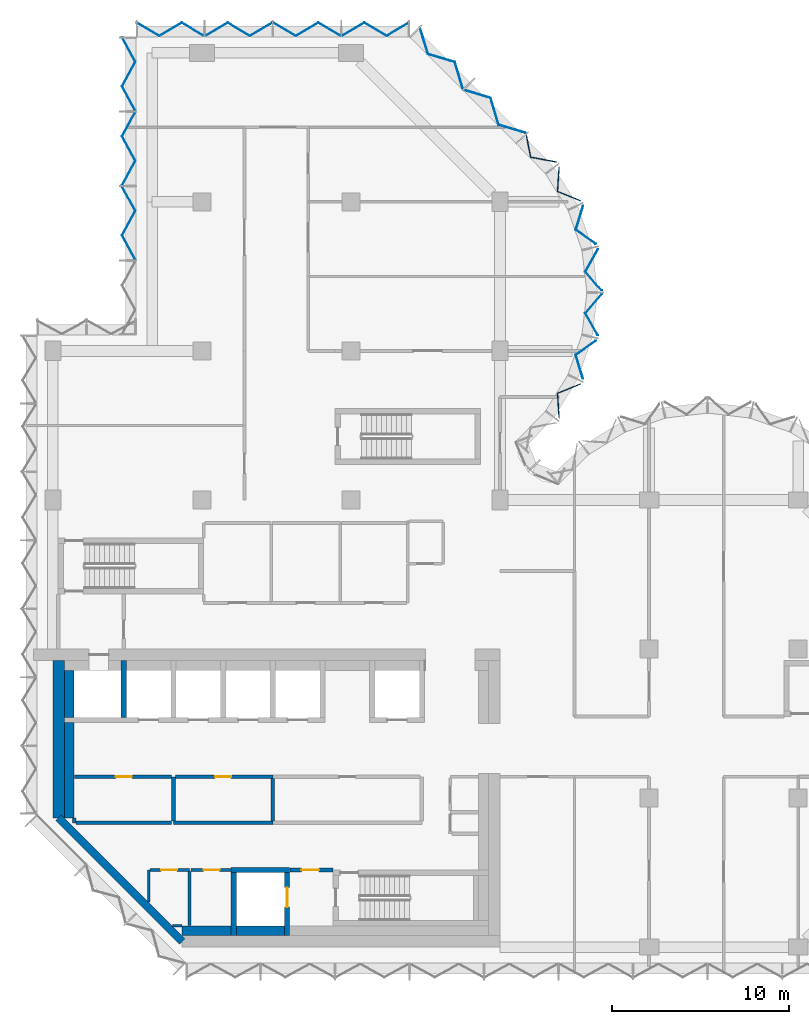
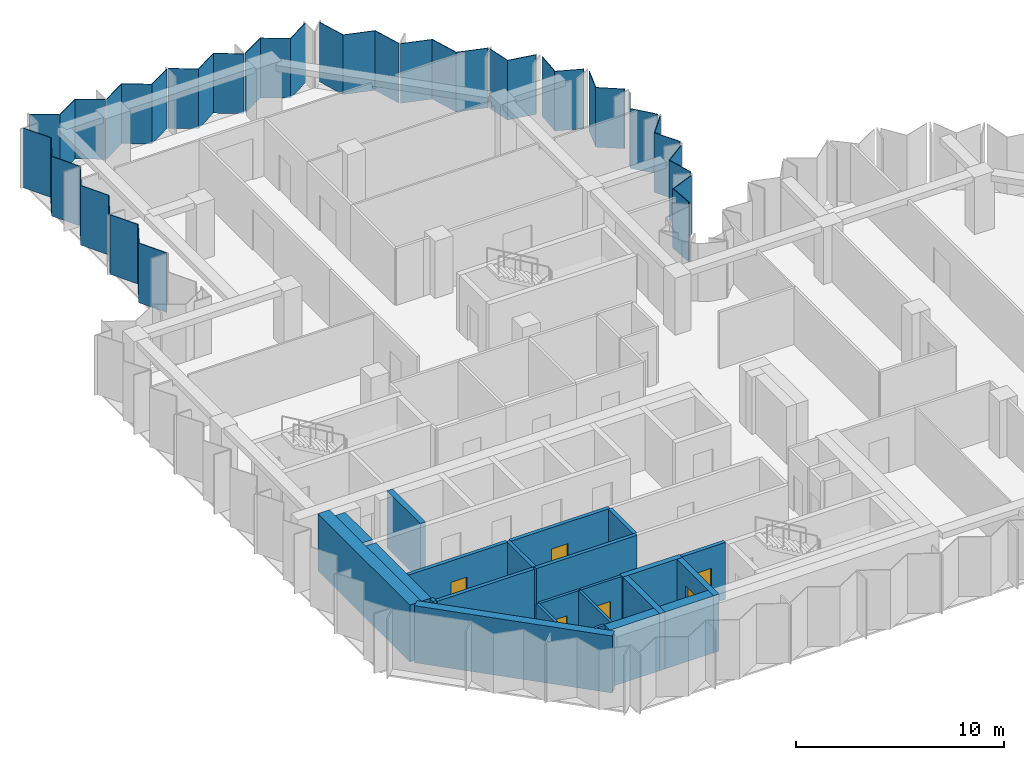
# One storey, part 4 of 10: 23 walls, 16 plates, 6 doors, 6 openings, 4 elements without a shape of their own.
"""IFC4 building model written with IfcOpenShell, lengths in metres."""

from ifc_helpers import new_model, si_unit, direction, frame, frame_2d, origin, place, context, subcontext, project, spatial, polyline, rectangle, outline, extrude, material, layer, layer_set, type_object, element, fill, aggregate, save


model = new_model("IFC4")

# Units and contexts
model_context = context("Model", 3, precision=1e-05, world=origin(), true_north=direction((0.0, 1.0)))
body_context = subcontext(model_context, "Body", "Model", "MODEL_VIEW")
ifc_project = project(units=[si_unit("LENGTHUNIT", "METRE"), si_unit("AREAUNIT", "SQUARE_METRE"), si_unit("VOLUMEUNIT", "CUBIC_METRE"), si_unit("PLANEANGLEUNIT", "RADIAN"), si_unit("MASSUNIT", "GRAM", prefix="KILO")], contexts=[model_context])

# Site, building, storey
site_placement = place(None, origin())
site = spatial("IfcSite", under=ifc_project, at=site_placement, CompositionType="ELEMENT")
building_placement = place(site_placement, origin())
building = spatial("IfcBuilding", under=site, at=building_placement, Name="Brevane Broadcast Tower", CompositionType="ELEMENT")
storey_placement = place(building_placement, frame((0.0, 0.0, 199.199951171875)))
storey = spatial("IfcBuildingStorey", under=building, at=storey_placement, Name="L50", CompositionType="ELEMENT", Elevation=199.199951171875)

# Curtain wall, plates
ifc_material_1 = material(Name="Aluminium 6063-T6 bronze anodised", Category="aluminium")
curtain_wall_type = type_object("IfcCurtainWallType", Name="CW-1 curtain wall", PredefinedType="NOTDEFINED", material=ifc_material_1)
curtain_wall_1_placement = place(storey_placement, origin())
curtain_wall_1 = element("IfcCurtainWall", 1, at=curtain_wall_1_placement, inside=storey, type_object=curtain_wall_type, Name="CW-1 typical tilted unit L50 north bow", PredefinedType="NOTDEFINED")
ifc_material_2 = material(Name="Laminated glass bronze-tinted", Category="glass")
ifc_layer_1 = layer(ifc_material_2, 0.0400390625)
ifc_layer_set_1 = layer_set([ifc_layer_1], Name="CW tall glass panel 40")
plate_type = type_object("IfcPlateType", Name="CW tall glass panel 40", PredefinedType="CURTAIN_PANEL", material=ifc_layer_set_1)
plate_1_placement = place(storey_placement, frame((0.0, 0.0, -0.14990234375)))
plate_1 = element("IfcPlate", 2, at=plate_1_placement, type_object=plate_type, Name="CW-1 glass panel", PredefinedType="CURTAIN_PANEL", context=body_context, shape_type="SweptSolid", body=[
    extrude(outline(polyline([(28.5087890625, 29.849609375), (28.551025390625, 29.816650390625), (28.462890625, 31.198486328125), (29.76171875, 31.729736328125), (29.712890625, 31.753173828125), (28.42138671875, 31.224609375), (28.5087890625, 29.849609375)])), origin(), (0.0, 0.0, 1.0), 3.5),
])
plate_2_placement = place(storey_placement, frame((0.0, 0.0, -0.14990234375)))
plate_2 = element("IfcPlate", 3, at=plate_2_placement, type_object=plate_type, Name="CW-1 glass panel", PredefinedType="CURTAIN_PANEL", context=body_context, shape_type="SweptSolid", body=[
    extrude(outline(polyline([(29.851806640625, 32.044677734375), (29.900634765625, 32.021484375), (29.494384765625, 33.364501953125), (30.622802734375, 34.167236328125), (30.57080078125, 34.17919921875), (29.44775390625, 33.380615234375), (29.851806640625, 32.044677734375)])), origin(), (0.0, 0.0, 1.0), 3.5),
])
plate_3_placement = place(storey_placement, frame((0.0, 0.0, -0.14990234375)))
plate_3 = element("IfcPlate", 4, at=plate_3_placement, type_object=plate_type, Name="CW-1 glass panel", PredefinedType="CURTAIN_PANEL", context=body_context, shape_type="SweptSolid", body=[
    extrude(outline(polyline([(30.68798828125, 34.483642578125), (30.740478515625, 34.4716796875), (30.036376953125, 35.730224609375), (30.94921875, 36.7919921875), (30.896484375, 36.7919921875), (29.98779296875, 35.735107421875), (30.68798828125, 34.483642578125)])), origin(), (0.0, 0.0, 1.0), 3.5),
])
plate_4_placement = place(storey_placement, frame((0.0, 0.0, -0.14990234375)))
plate_4 = element("IfcPlate", 5, at=plate_4_placement, type_object=plate_type, Name="CW-1 glass panel", PredefinedType="CURTAIN_PANEL", context=body_context, shape_type="SweptSolid", body=[
    extrude(outline(polyline([(30.896484375, 37.008056640625), (30.94921875, 37.008056640625), (30.036376953125, 38.069580078125), (30.740478515625, 39.328369140625), (30.68798828125, 39.31640625), (29.98779296875, 38.064697265625), (30.896484375, 37.008056640625)])), origin(), (0.0, 0.0, 1.0), 3.5),
])
plate_5_placement = place(storey_placement, frame((0.0, 0.0, -0.14990234375)))
plate_5 = element("IfcPlate", 6, at=plate_5_placement, type_object=plate_type, Name="CW-1 glass panel", PredefinedType="CURTAIN_PANEL", context=body_context, shape_type="SweptSolid", body=[
    extrude(outline(polyline([(30.57080078125, 39.62060546875), (30.622802734375, 39.6328125), (29.494384765625, 40.435546875), (29.900634765625, 41.778564453125), (29.851806640625, 41.75537109375), (29.44775390625, 40.41943359375), (30.57080078125, 39.62060546875)])), origin(), (0.0, 0.0, 1.0), 3.5),
])
plate_6_placement = place(storey_placement, frame((0.0, 0.0, -0.14990234375)))
plate_6 = element("IfcPlate", 7, at=plate_6_placement, type_object=plate_type, Name="CW-1 glass panel", PredefinedType="CURTAIN_PANEL", context=body_context, shape_type="SweptSolid", body=[
    extrude(outline(polyline([(29.712890625, 42.046875), (29.76171875, 42.0703125), (28.462890625, 42.601318359375), (28.551025390625, 43.9833984375), (28.5087890625, 43.950439453125), (28.42138671875, 42.5751953125), (29.712890625, 42.046875)])), origin(), (0.0, 0.0, 1.0), 3.5),
])
plate_7_placement = place(storey_placement, frame((0.0, 0.0, -0.14990234375)))
plate_7 = element("IfcPlate", 8, at=plate_7_placement, type_object=plate_type, Name="CW-1 glass panel", PredefinedType="CURTAIN_PANEL", context=body_context, shape_type="SweptSolid", body=[
    extrude(outline(polyline([(28.34375, 44.231201171875), (28.3857421875, 44.263916015625), (26.9423828125, 44.539306640625), (26.690185546875, 45.82470703125), (26.656005859375, 45.79150390625), (26.908203125, 44.5048828125), (28.34375, 44.231201171875)])), origin(), (0.0, 0.0, 1.0), 3.5),
])
aggregate(curtain_wall_1, [plate_1, plate_2, plate_3, plate_4, plate_5, plate_6, plate_7])

curtain_wall_2_placement = place(storey_placement, origin())
curtain_wall_2 = element("IfcCurtainWall", 9, at=curtain_wall_2_placement, inside=storey, type_object=curtain_wall_type, Name="CW-1 typical tilted unit L50 north arm north-east chamfer", PredefinedType="NOTDEFINED")
plate_8_placement = place(storey_placement, frame((0.0, 0.0, -0.14990234375)))
plate_8 = element("IfcPlate", 10, at=plate_8_placement, type_object=plate_type, Name="CW-1 glass panel", PredefinedType="CURTAIN_PANEL", context=body_context, shape_type="SweptSolid", body=[
    extrude(outline(polyline([(26.620849609375, 45.870361328125), (26.653076171875, 45.902587890625), (25.14306640625, 46.359619140625), (24.68603515625, 47.869384765625), (23.176025390625, 48.32666015625), (23.14404296875, 48.294677734375), (24.65380859375, 47.83740234375), (25.111083984375, 46.32763671875), (26.620849609375, 45.870361328125)])), origin(), (0.0, 0.0, 1.0), 3.5),
])
plate_9_placement = place(storey_placement, frame((0.0, 0.0, -0.14990234375)))
plate_9 = element("IfcPlate", 11, at=plate_9_placement, type_object=plate_type, Name="CW-1 glass panel", PredefinedType="CURTAIN_PANEL", context=body_context, shape_type="SweptSolid", body=[
    extrude(outline(polyline([(23.094482421875, 48.343994140625), (23.126708984375, 48.376220703125), (22.66943359375, 49.885986328125), (21.15966796875, 50.343017578125), (20.702392578125, 51.85302734375), (20.67041015625, 51.82080078125), (21.127685546875, 50.31103515625), (22.637451171875, 49.85400390625), (23.094482421875, 48.343994140625)])), origin(), (0.0, 0.0, 1.0), 3.5),
])
aggregate(curtain_wall_2, [plate_8, plate_9])

curtain_wall_3_placement = place(storey_placement, origin())
curtain_wall_3 = element("IfcCurtainWall", 12, at=curtain_wall_3_placement, inside=storey, type_object=curtain_wall_type, Name="CW-1 typical tilted unit L50 north end", PredefinedType="NOTDEFINED")
plate_10_placement = place(storey_placement, frame((0.0, 0.0, -0.14990234375)))
plate_10 = element("IfcPlate", 13, at=plate_10_placement, type_object=plate_type, Name="CW-1 glass panel", PredefinedType="CURTAIN_PANEL", context=body_context, shape_type="SweptSolid", body=[
    extrude(outline(polyline([(20.06494140625, 52.0712890625), (20.06494140625, 52.11767578125), (18.804931640625, 51.373291015625), (17.544921875, 52.11767578125), (16.284912109375, 51.373291015625), (16.284912109375, 51.326904296875), (17.544921875, 52.0712890625), (18.804931640625, 51.326904296875), (20.06494140625, 52.0712890625)])), origin(), (0.0, 0.0, 1.0), 3.5),
])
plate_11_placement = place(storey_placement, frame((0.0, 0.0, -0.14990234375)))
plate_11 = element("IfcPlate", 14, at=plate_11_placement, type_object=plate_type, Name="CW-1 glass panel", PredefinedType="CURTAIN_PANEL", context=body_context, shape_type="SweptSolid", body=[
    extrude(outline(polyline([(16.215087890625, 51.326904296875), (16.215087890625, 51.373291015625), (14.955078125, 52.11767578125), (13.695068359375, 51.373291015625), (12.43505859375, 52.11767578125), (12.43505859375, 52.0712890625), (13.695068359375, 51.326904296875), (14.955078125, 52.0712890625), (16.215087890625, 51.326904296875)])), origin(), (0.0, 0.0, 1.0), 3.5),
])
plate_12_placement = place(storey_placement, frame((0.0, 0.0, -0.14990234375)))
plate_12 = element("IfcPlate", 15, at=plate_12_placement, type_object=plate_type, Name="CW-1 glass panel", PredefinedType="CURTAIN_PANEL", context=body_context, shape_type="SweptSolid", body=[
    extrude(outline(polyline([(12.364990234375, 52.0712890625), (12.364990234375, 52.11767578125), (11.10498046875, 51.373291015625), (9.844970703125, 52.11767578125), (8.5849609375, 51.373291015625), (8.5849609375, 51.326904296875), (9.844970703125, 52.0712890625), (11.10498046875, 51.326904296875), (12.364990234375, 52.0712890625)])), origin(), (0.0, 0.0, 1.0), 3.5),
])
plate_13_placement = place(storey_placement, frame((0.0, 0.0, -0.14990234375)))
plate_13 = element("IfcPlate", 16, at=plate_13_placement, type_object=plate_type, Name="CW-1 glass panel", PredefinedType="CURTAIN_PANEL", context=body_context, shape_type="SweptSolid", body=[
    extrude(outline(polyline([(8.514892578125, 51.326904296875), (8.514892578125, 51.373291015625), (7.2548828125, 52.11767578125), (5.9951171875, 51.373291015625), (4.735107421875, 52.11767578125), (4.735107421875, 52.0712890625), (5.9951171875, 51.326904296875), (7.2548828125, 52.0712890625), (8.514892578125, 51.326904296875)])), origin(), (0.0, 0.0, 1.0), 3.5),
])
aggregate(curtain_wall_3, [plate_10, plate_11, plate_12, plate_13])

curtain_wall_4_placement = place(storey_placement, origin())
curtain_wall_4 = element("IfcCurtainWall", 17, at=curtain_wall_4_placement, inside=storey, type_object=curtain_wall_type, Name="CW-1 typical tilted unit L50 north wing west face, lower block", PredefinedType="NOTDEFINED")
plate_14_placement = place(storey_placement, frame((0.0, 0.0, -0.14990234375)))
plate_14 = element("IfcPlate", 18, at=plate_14_placement, type_object=plate_type, Name="CW-1 glass panel", PredefinedType="CURTAIN_PANEL", context=body_context, shape_type="SweptSolid", body=[
    extrude(outline(polyline([(3.92822265625, 51.264892578125), (3.8828125, 51.264892578125), (4.627197265625, 49.88818359375), (3.8828125, 48.51171875), (4.627197265625, 47.135009765625), (4.672607421875, 47.135009765625), (3.92822265625, 48.51171875), (4.672607421875, 49.88818359375), (3.92822265625, 51.264892578125)])), origin(), (0.0, 0.0, 1.0), 3.5),
])
plate_15_placement = place(storey_placement, frame((0.0, 0.0, -0.14990234375)))
plate_15 = element("IfcPlate", 19, at=plate_15_placement, type_object=plate_type, Name="CW-1 glass panel", PredefinedType="CURTAIN_PANEL", context=body_context, shape_type="SweptSolid", body=[
    extrude(outline(polyline([(4.672607421875, 47.06494140625), (4.627197265625, 47.06494140625), (3.8828125, 45.688232421875), (4.627197265625, 44.311767578125), (3.8828125, 42.93505859375), (3.92822265625, 42.93505859375), (4.672607421875, 44.311767578125), (3.92822265625, 45.688232421875), (4.672607421875, 47.06494140625)])), origin(), (0.0, 0.0, 1.0), 3.5),
])
plate_16_placement = place(storey_placement, frame((0.0, 0.0, -0.14990234375)))
plate_16 = element("IfcPlate", 20, at=plate_16_placement, type_object=plate_type, Name="CW-1 glass panel", PredefinedType="CURTAIN_PANEL", context=body_context, shape_type="SweptSolid", body=[
    extrude(outline(polyline([(3.92822265625, 42.864990234375), (3.8828125, 42.864990234375), (4.627197265625, 41.48828125), (3.8828125, 40.11181640625), (4.627197265625, 38.735107421875), (4.672607421875, 38.735107421875), (3.92822265625, 40.11181640625), (4.672607421875, 41.48828125), (3.92822265625, 42.864990234375)])), origin(), (0.0, 0.0, 1.0), 3.5),
])
aggregate(curtain_wall_4, [plate_14, plate_15, plate_16])

# Walls
ifc_material_3 = material(Name="Concrete C32/40", Category="concrete")
ifc_layer_2 = layer(ifc_material_3, 0.550048828125)
ifc_layer_set_2 = layer_set([ifc_layer_2], Name="Core chase wall 550 mm")
wall_type_1 = type_object("IfcWallType", Name="Core chase wall 550 mm", PredefinedType="PARTITIONING", material=ifc_layer_set_2)
wall_1_placement = place(storey_placement, frame((0.925048828125, 7.286376953125, 0.0), z_axis=(0.0, 0.0, 1.0), x_axis=(0.0, 1.0, 0.0)))
element("IfcWall", 21, at=wall_1_placement, inside=storey, type_object=wall_type_1, Name="L50 chase wall LW-1", PredefinedType="PARTITIONING", context=body_context, shape_type="SweptSolid", body=[
    extrude(rectangle(XDim=5.363525390625, YDim=0.550048828125, at=frame_2d((2.681640625, 0.0))), origin(), (0.0, 0.0, 1.0), 3.35009765625),
])
wall_2_placement = place(storey_placement, frame((0.925048828125, 12.949951171875, 0.0), z_axis=(0.0, 0.0, 1.0), x_axis=(0.0, 1.0, 0.0)))
element("IfcWall", 22, at=wall_2_placement, inside=storey, type_object=wall_type_1, Name="L50 chase wall LW-2", PredefinedType="PARTITIONING", context=body_context, shape_type="SweptSolid", body=[
    extrude(rectangle(XDim=2.650146484375, YDim=0.550048828125, at=frame_2d((1.3251953125, 0.0))), origin(), (0.0, 0.0, 1.0), 3.35009765625),
])
wall_3_placement = place(storey_placement, frame((7.286376953125, 0.925048828125, 0.0), z_axis=(0.0, 0.0, 1.0), x_axis=(1.0, 0.0, 0.0)))
element("IfcWall", 23, at=wall_3_placement, inside=storey, type_object=wall_type_1, Name="L50 chase wall LS-1", PredefinedType="PARTITIONING", context=body_context, shape_type="SweptSolid", body=[
    extrude(rectangle(XDim=2.763671875, YDim=0.550048828125, at=frame_2d((1.3818359375, 0.0))), origin(), (0.0, 0.0, 1.0), 3.35009765625),
])
wall_4_placement = place(storey_placement, frame((10.35009765625, 0.925048828125, 0.0), z_axis=(0.0, 0.0, 1.0), x_axis=(1.0, 0.0, 0.0)))
element("IfcWall", 24, at=wall_4_placement, inside=storey, type_object=wall_type_1, Name="L50 chase wall LS-2-1", PredefinedType="PARTITIONING", context=body_context, shape_type="SweptSolid", body=[
    extrude(rectangle(XDim=2.699951171875, YDim=0.550048828125, at=frame_2d((1.35009765625, 0.0))), origin(), (0.0, 0.0, 1.0), 3.35009765625),
])
ifc_material_4 = material(Name="Gypsum board on steel studs", Category="steel")
ifc_layer_3 = layer(ifc_material_4, 0.14990234375)
ifc_layer_set_3 = layer_set([ifc_layer_3], Name="Core fire partition 150 mm")
wall_type_2 = type_object("IfcWallType", Name="Core fire partition 150 mm", PredefinedType="PARTITIONING", material=ifc_layer_set_3)
wall_5_placement = place(storey_placement, frame((5.39990234375, 2.553466796875, 0.0), z_axis=(0.0, 0.0, 1.0), x_axis=(0.0, 1.0, 0.0)))
element("IfcWall", 25, at=wall_5_placement, inside=storey, type_object=wall_type_2, Name="L50 partition wall P17", PredefinedType="PARTITIONING", context=body_context, shape_type="SweptSolid", body=[
    extrude(rectangle(XDim=1.796630859375, YDim=0.14990234375, at=frame_2d((0.8984375, 0.0))), origin(), (0.0, 0.0, 1.0), 3.35009765625),
])

# Wall, opening, door
wall_6_placement = place(storey_placement, frame((5.47509765625, 4.35009765625, 0.0), z_axis=(0.0, 0.0, 1.0), x_axis=(1.0, 0.0, 0.0)))
wall_6 = element("IfcWall", 26, at=wall_6_placement, inside=storey, type_object=wall_type_2, Name="L50 partition wall P18", PredefinedType="PARTITIONING", context=body_context, shape_type="SweptSolid", body=[
    extrude(rectangle(XDim=2.224853515625, YDim=0.14990234375, at=frame_2d((1.1123046875, 0.0))), origin(), (0.0, 0.0, 1.0), 3.35009765625),
])
opening_1_placement = place(wall_6_placement, frame((0.625, 0.0, 0.0)))
opening_1 = element("IfcOpeningElement", 27, at=opening_1_placement, cuts=wall_6, Name="Opening L50-K14", PredefinedType="OPENING", context=body_context, shape_type="SweptSolid", body=[
    extrude(rectangle(XDim=0.89990234375, YDim=2.10009765625, at=frame_2d((0.449951171875, 1.050048828125))), frame((0.0, 0.0849609375, 0.0), z_axis=(0.0, -1.0, 0.0), x_axis=(1.0, 0.0, 0.0)), (0.0, 0.0, 1.0), 0.169921875),
])
ifc_material_5 = material(Name="Timber", Category="wood")
door_type_1 = type_object("IfcDoorType", Name="Toilet door 900 x 2100", OperationType="SINGLE_SWING_LEFT", PredefinedType="DOOR", material=ifc_material_5)
door_1_placement = place(opening_1_placement, origin())
door_1 = element("IfcDoor", 28, at=door_1_placement, inside=storey, type_object=door_type_1, Name="Door L50-K14", OperationType="SINGLE_SWING_LEFT", OverallHeight=2.10009765625, OverallWidth=0.89990234375, PredefinedType="DOOR", context=body_context, shape_type="SweptSolid", body=[
    extrude(rectangle(XDim=0.89990234375, YDim=2.10009765625, at=frame_2d((0.449951171875, 1.050048828125))), frame((0.0, 0.02490234375, 0.0), z_axis=(0.0, -1.0, 0.0), x_axis=(1.0, 0.0, 0.0)), (0.0, 0.0, 1.0), 0.050048828125),
])
fill(opening_1, door_1)

# Walls
wall_7_placement = place(storey_placement, frame((7.699951171875, 4.27490234375, 0.0), z_axis=(0.0, 0.0, 1.0), x_axis=(0.0, -1.0, 0.0)))
element("IfcWall", 29, at=wall_7_placement, inside=storey, type_object=wall_type_2, Name="L50 partition wall P19", PredefinedType="PARTITIONING", context=body_context, shape_type="SweptSolid", body=[
    extrude(rectangle(XDim=3.06298828125, YDim=0.14990234375, at=frame_2d((1.531494140625, 0.0))), origin(), (0.0, 0.0, 1.0), 3.35009765625),
])
wall_8_placement = place(storey_placement, frame((7.2744140625, 1.199951171875, 0.0), z_axis=(0.0, 0.0, 1.0), x_axis=(-1.0, 0.0, 0.0)))
element("IfcWall", 30, at=wall_8_placement, inside=storey, type_object=wall_type_2, Name="L50 partition wall P20", PredefinedType="PARTITIONING", context=body_context, shape_type="SweptSolid", body=[
    extrude(rectangle(XDim=0.52099609375, YDim=0.14990234375, at=frame_2d((0.260498046875, 0.0))), origin(), (0.0, 0.0, 1.0), 3.35009765625),
])

# Wall, opening, door
wall_9_placement = place(storey_placement, frame((10.0380859375, 4.35009765625, 0.0), z_axis=(0.0, 0.0, 1.0), x_axis=(-1.0, 0.0, 0.0)))
wall_9 = element("IfcWall", 31, at=wall_9_placement, inside=storey, type_object=wall_type_2, Name="L50 partition wall P21", PredefinedType="PARTITIONING", context=body_context, shape_type="SweptSolid", body=[
    extrude(rectangle(XDim=2.26318359375, YDim=0.14990234375, at=frame_2d((1.131591796875, 0.0))), origin(), (0.0, 0.0, 1.0), 3.35009765625),
])
opening_2_placement = place(wall_9_placement, frame((0.637939453125, 0.0, 0.0)))
opening_2 = element("IfcOpeningElement", 32, at=opening_2_placement, cuts=wall_9, Name="Opening L50-K15", PredefinedType="OPENING", context=body_context, shape_type="SweptSolid", body=[
    extrude(rectangle(XDim=0.89990234375, YDim=2.10009765625, at=frame_2d((0.449951171875, 1.050048828125))), frame((0.0, 0.0849609375, 0.0), z_axis=(0.0, -1.0, 0.0), x_axis=(1.0, 0.0, 0.0)), (0.0, 0.0, 1.0), 0.169921875),
])
door_2_placement = place(opening_2_placement, origin())
door_2 = element("IfcDoor", 33, at=door_2_placement, inside=storey, type_object=door_type_1, Name="Door L50-K15", OperationType="SINGLE_SWING_RIGHT", OverallHeight=2.10009765625, OverallWidth=0.89990234375, PredefinedType="DOOR", context=body_context, shape_type="SweptSolid", body=[
    extrude(rectangle(XDim=0.89990234375, YDim=2.10009765625, at=frame_2d((0.449951171875, 1.050048828125))), frame((0.0, 0.02490234375, 0.0), z_axis=(0.0, -1.0, 0.0), x_axis=(1.0, 0.0, 0.0)), (0.0, 0.0, 1.0), 0.050048828125),
])
fill(opening_2, door_2)

ifc_layer_4 = layer(ifc_material_4, 0.199951171875)
ifc_layer_set_4 = layer_set([ifc_layer_4], Name="Core fire partition 200 mm")
wall_type_3 = type_object("IfcWallType", Name="Core fire partition 200 mm", PredefinedType="PARTITIONING", material=ifc_layer_set_4)
wall_10_placement = place(storey_placement, frame((13.362060546875, 4.35009765625, 0.0), z_axis=(0.0, 0.0, 1.0), x_axis=(1.0, 0.0, 0.0)))
wall_10 = element("IfcWall", 34, at=wall_10_placement, inside=storey, type_object=wall_type_3, Name="L50 partition wall P03", PredefinedType="PARTITIONING", context=body_context, shape_type="SweptSolid", body=[
    extrude(rectangle(XDim=2.426025390625, YDim=0.199951171875, at=frame_2d((1.212890625, 0.0))), origin(), (0.0, 0.0, 1.0), 3.35009765625),
])
opening_3_placement = place(wall_10_placement, frame((0.637939453125, 0.0, 0.0)))
opening_3 = element("IfcOpeningElement", 35, at=opening_3_placement, cuts=wall_10, Name="Opening L50-K16", PredefinedType="OPENING", context=body_context, shape_type="SweptSolid", body=[
    extrude(rectangle(XDim=1.0, YDim=2.10009765625, at=frame_2d((0.5, 1.050048828125))), frame((0.0, 0.10986328125, 0.0), z_axis=(0.0, -1.0, 0.0), x_axis=(1.0, 0.0, 0.0)), (0.0, 0.0, 1.0), 0.219970703125),
])
ifc_material_6 = material(Name="Steel", Category="steel")
door_type_2 = type_object("IfcDoorType", Name="Stair door 1000 x 2100", OperationType="SINGLE_SWING_LEFT", PredefinedType="DOOR", material=ifc_material_6)
door_3_placement = place(opening_3_placement, origin())
door_3 = element("IfcDoor", 36, at=door_3_placement, inside=storey, type_object=door_type_2, Name="Door L50-K16", OperationType="SINGLE_SWING_LEFT", OverallHeight=2.10009765625, OverallWidth=1.0, PredefinedType="DOOR", context=body_context, shape_type="SweptSolid", body=[
    extrude(rectangle(XDim=1.0, YDim=2.10009765625, at=frame_2d((0.5, 1.050048828125))), frame((0.0, 0.02490234375, 0.0), z_axis=(0.0, -1.0, 0.0), x_axis=(1.0, 0.0, 0.0)), (0.0, 0.0, 1.0), 0.050048828125),
])
fill(opening_3, door_3)

# Walls
wall_11_placement = place(storey_placement, frame((6.800048828125, 7.0, 0.0), z_axis=(0.0, 0.0, 1.0), x_axis=(1.0, 0.0, 0.0)))
element("IfcWall", 37, at=wall_11_placement, inside=storey, type_object=wall_type_3, Name="L50 partition wall P04", PredefinedType="PARTITIONING", context=body_context, shape_type="SweptSolid", body=[
    extrude(rectangle(XDim=5.599853515625, YDim=0.199951171875, at=frame_2d((2.7998046875, 0.0))), origin(), (0.0, 0.0, 1.0), 3.35009765625),
])
wall_12_placement = place(storey_placement, frame((6.800048828125, 9.60009765625, 0.0), z_axis=(0.0, 0.0, 1.0), x_axis=(0.0, -1.0, 0.0)))
element("IfcWall", 38, at=wall_12_placement, inside=storey, type_object=wall_type_3, Name="L50 partition wall P05", PredefinedType="PARTITIONING", context=body_context, shape_type="SweptSolid", body=[
    extrude(rectangle(XDim=2.5, YDim=0.199951171875, at=frame_2d((1.25, 0.0))), origin(), (0.0, 0.0, 1.0), 3.35009765625),
])

# Wall, opening, door
wall_13_placement = place(storey_placement, frame((6.699951171875, 9.60009765625, 0.0), z_axis=(0.0, 0.0, 1.0), x_axis=(-1.0, 0.0, 0.0)))
wall_13 = element("IfcWall", 39, at=wall_13_placement, inside=storey, type_object=wall_type_3, Name="L50 partition wall P06", PredefinedType="PARTITIONING", context=body_context, shape_type="SweptSolid", body=[
    extrude(rectangle(XDim=5.488037109375, YDim=0.199951171875, at=frame_2d((2.744140625, 0.0))), origin(), (0.0, 0.0, 1.0), 3.35009765625),
])
opening_4_placement = place(wall_13_placement, frame((2.25, 0.0, 0.0)))
opening_4 = element("IfcOpeningElement", 40, at=opening_4_placement, cuts=wall_13, Name="Opening L50-K19", PredefinedType="OPENING", context=body_context, shape_type="SweptSolid", body=[
    extrude(rectangle(XDim=0.89990234375, YDim=2.10009765625, at=frame_2d((0.449951171875, 1.050048828125))), frame((0.0, 0.10986328125, 0.0), z_axis=(0.0, -1.0, 0.0), x_axis=(1.0, 0.0, 0.0)), (0.0, 0.0, 1.0), 0.219970703125),
])
door_type_3 = type_object("IfcDoorType", Name="Service room door 900 x 2100", OperationType="SINGLE_SWING_LEFT", PredefinedType="DOOR", material=ifc_material_6)
door_4_placement = place(opening_4_placement, origin())
door_4 = element("IfcDoor", 41, at=door_4_placement, inside=storey, type_object=door_type_3, Name="Door L50-K19", OperationType="SINGLE_SWING_RIGHT", OverallHeight=2.10009765625, OverallWidth=0.89990234375, PredefinedType="DOOR", context=body_context, shape_type="SweptSolid", body=[
    extrude(rectangle(XDim=0.89990234375, YDim=2.10009765625, at=frame_2d((0.449951171875, 1.050048828125))), frame((0.0, 0.02490234375, 0.0), z_axis=(0.0, -1.0, 0.0), x_axis=(1.0, 0.0, 0.0)), (0.0, 0.0, 1.0), 0.050048828125),
])
fill(opening_4, door_4)

# Walls
wall_14_placement = place(storey_placement, frame((1.199951171875, 7.2744140625, 0.0), z_axis=(0.0, 0.0, 1.0), x_axis=(0.0, -1.0, 0.0)))
element("IfcWall", 42, at=wall_14_placement, inside=storey, type_object=wall_type_3, Name="L50 partition wall P07", PredefinedType="PARTITIONING", context=body_context, shape_type="SweptSolid", body=[
    extrude(rectangle(XDim=0.2744140625, YDim=0.199951171875, at=frame_2d((0.13720703125, 0.0))), origin(), (0.0, 0.0, 1.0), 3.35009765625),
])
wall_15_placement = place(storey_placement, frame((1.300048828125, 7.0, 0.0), z_axis=(0.0, 0.0, 1.0), x_axis=(1.0, 0.0, 0.0)))
element("IfcWall", 43, at=wall_15_placement, inside=storey, type_object=wall_type_3, Name="L50 partition wall P08", PredefinedType="PARTITIONING", context=body_context, shape_type="SweptSolid", body=[
    extrude(rectangle(XDim=5.39990234375, YDim=0.199951171875, at=frame_2d((2.699951171875, 0.0))), origin(), (0.0, 0.0, 1.0), 3.35009765625),
])

# Wall, opening, door
wall_16_placement = place(storey_placement, frame((12.39990234375, 9.60009765625, 0.0), z_axis=(0.0, 0.0, 1.0), x_axis=(-1.0, 0.0, 0.0)))
wall_16 = element("IfcWall", 44, at=wall_16_placement, inside=storey, type_object=wall_type_3, Name="L50 partition wall P09", PredefinedType="PARTITIONING", context=body_context, shape_type="SweptSolid", body=[
    extrude(rectangle(XDim=5.5, YDim=0.199951171875, at=frame_2d((2.75, 0.0))), origin(), (0.0, 0.0, 1.0), 3.35009765625),
])
opening_5_placement = place(wall_16_placement, frame((2.35009765625, 0.0, 0.0)))
opening_5 = element("IfcOpeningElement", 45, at=opening_5_placement, cuts=wall_16, Name="Opening L50-K20", PredefinedType="OPENING", context=body_context, shape_type="SweptSolid", body=[
    extrude(rectangle(XDim=0.89990234375, YDim=2.10009765625, at=frame_2d((0.449951171875, 1.050048828125))), frame((0.0, 0.10986328125, 0.0), z_axis=(0.0, -1.0, 0.0), x_axis=(1.0, 0.0, 0.0)), (0.0, 0.0, 1.0), 0.219970703125),
])
door_5_placement = place(opening_5_placement, origin())
door_5 = element("IfcDoor", 46, at=door_5_placement, inside=storey, type_object=door_type_3, Name="Door L50-K20", OperationType="SINGLE_SWING_LEFT", OverallHeight=2.10009765625, OverallWidth=0.89990234375, PredefinedType="DOOR", context=body_context, shape_type="SweptSolid", body=[
    extrude(rectangle(XDim=0.89990234375, YDim=2.10009765625, at=frame_2d((0.449951171875, 1.050048828125))), frame((0.0, 0.02490234375, 0.0), z_axis=(0.0, -1.0, 0.0), x_axis=(1.0, 0.0, 0.0)), (0.0, 0.0, 1.0), 0.050048828125),
])
fill(opening_5, door_5)

# Walls
wall_17_placement = place(storey_placement, frame((12.39990234375, 9.5, 0.0), z_axis=(0.0, 0.0, 1.0), x_axis=(0.0, -1.0, 0.0)))
element("IfcWall", 47, at=wall_17_placement, inside=storey, type_object=wall_type_3, Name="L50 partition wall P13", PredefinedType="PARTITIONING", context=body_context, shape_type="SweptSolid", body=[
    extrude(rectangle(XDim=2.39990234375, YDim=0.199951171875, at=frame_2d((1.199951171875, 0.0))), origin(), (0.0, 0.0, 1.0), 3.35009765625),
])
ifc_material_7 = material(Name="Concrete C60/75", Category="concrete")
ifc_layer_5 = layer(ifc_material_7, 0.300048828125)
ifc_layer_set_5 = layer_set([ifc_layer_5], Name="Core wall 300 mm C60/75")
wall_type_4 = type_object("IfcWallType", Name="Core wall 300 mm C60/75", PredefinedType="SHEAR", material=ifc_layer_set_5)
wall_18_placement = place(storey_placement, frame((4.0, 12.949951171875, 0.0), z_axis=(0.0, 0.0, 1.0), x_axis=(0.0, 1.0, 0.0)))
element("IfcWall", 48, at=wall_18_placement, inside=storey, type_object=wall_type_4, Name="L50 shaft wall SH-N-P040", PredefinedType="SHEAR", context=body_context, shape_type="SweptSolid", body=[
    extrude(rectangle(XDim=3.199951171875, YDim=0.300048828125, at=frame_2d((1.60009765625, 0.0))), origin(), (0.0, 0.0, 1.0), 3.35009765625),
])
wall_19_placement = place(storey_placement, frame((10.199951171875, 0.64990234375, 0.0), z_axis=(0.0, 0.0, 1.0), x_axis=(0.0, 1.0, 0.0)))
element("IfcWall", 49, at=wall_19_placement, inside=storey, type_object=wall_type_4, Name="L50 shaft wall FF2-W", PredefinedType="SHEAR", context=body_context, shape_type="SweptSolid", body=[
    extrude(rectangle(XDim=3.550048828125, YDim=0.300048828125, at=frame_2d((1.77490234375, 0.0))), origin(), (0.0, 0.0, 1.0), 3.35009765625),
])

# Wall, opening, door
wall_20_placement = place(storey_placement, frame((13.199951171875, 0.64990234375, 0.0), z_axis=(0.0, 0.0, 1.0), x_axis=(0.0, 1.0, 0.0)))
wall_20 = element("IfcWall", 50, at=wall_20_placement, inside=storey, type_object=wall_type_4, Name="L50 shaft wall FF2-E", PredefinedType="SHEAR", context=body_context, shape_type="SweptSolid", body=[
    extrude(rectangle(XDim=3.550048828125, YDim=0.300048828125, at=frame_2d((1.77490234375, 0.0))), origin(), (0.0, 0.0, 1.0), 3.35009765625),
])
opening_6_placement = place(wall_20_placement, frame((1.60009765625, 0.0, 0.0)))
opening_6 = element("IfcOpeningElement", 51, at=opening_6_placement, cuts=wall_20, Name="Opening LD", PredefinedType="OPENING", context=body_context, shape_type="SweptSolid", body=[
    extrude(rectangle(XDim=1.10009765625, YDim=2.300048828125, at=frame_2d((0.550048828125, 1.14990234375))), frame((0.0, 0.159912109375, 0.0), z_axis=(0.0, -1.0, 0.0), x_axis=(1.0, 0.0, 0.0)), (0.0, 0.0, 1.0), 0.320068359375),
])
ifc_material_8 = material(Name="Stainless steel", Category="steel")
door_type_4 = type_object("IfcDoorType", Name="Lift landing door", OperationType="SLIDING_TO_LEFT", PredefinedType="DOOR", material=ifc_material_8)
door_6_placement = place(opening_6_placement, origin())
door_6 = element("IfcDoor", 52, at=door_6_placement, inside=storey, type_object=door_type_4, Name="Landing door FF2 L50", OperationType="SLIDING_TO_LEFT", OverallHeight=2.300048828125, OverallWidth=1.10009765625, PredefinedType="DOOR", context=body_context, shape_type="SweptSolid", body=[
    extrude(rectangle(XDim=1.10009765625, YDim=2.300048828125, at=frame_2d((0.550048828125, 1.14990234375))), frame((0.0, 0.02490234375, 0.0), z_axis=(0.0, -1.0, 0.0), x_axis=(1.0, 0.0, 0.0)), (0.0, 0.0, 1.0), 0.050048828125),
])
fill(opening_6, door_6)

# Walls
wall_21_placement = place(storey_placement, frame((10.050048828125, 4.35009765625, 0.0), z_axis=(0.0, 0.0, 1.0), x_axis=(1.0, 0.0, 0.0)))
element("IfcWall", 53, at=wall_21_placement, inside=storey, type_object=wall_type_4, Name="L50 shaft wall FF2-N", PredefinedType="SHEAR", context=body_context, shape_type="SweptSolid", body=[
    extrude(rectangle(XDim=3.300048828125, YDim=0.300048828125, at=frame_2d((1.64990234375, 0.0))), origin(), (0.0, 0.0, 1.0), 3.35009765625),
])
ifc_layer_6 = layer(ifc_material_7, 0.449951171875)
ifc_layer_set_6 = layer_set([ifc_layer_6], Name="Core wall 450 mm C60/75")
wall_type_5 = type_object("IfcWallType", Name="Core wall 450 mm C60/75", PredefinedType="SHEAR", material=ifc_layer_set_6)
wall_22_placement = place(storey_placement, frame((0.324951171875, 7.293212890625, 0.0), z_axis=(0.0, 0.0, 1.0), x_axis=(0.707106781187, -0.707106781187, 0.0)))
element("IfcWall", 54, at=wall_22_placement, inside=storey, type_object=wall_type_5, Name="L50 outer wall WC", PredefinedType="SHEAR", context=body_context, shape_type="SweptSolid", body=[
    extrude(rectangle(XDim=9.8544921875, YDim=0.449951171875, at=frame_2d((4.92724609375, 0.0))), origin(), (0.0, 0.0, 1.0), 3.35009765625),
])
ifc_layer_7 = layer(ifc_material_7, 0.64990234375)
ifc_layer_set_7 = layer_set([ifc_layer_7], Name="Core wall 650 mm C60/75")
wall_type_6 = type_object("IfcWallType", Name="Core wall 650 mm C60/75", PredefinedType="SHEAR", material=ifc_layer_set_7)
wall_23_placement = place(storey_placement, frame((0.324951171875, 7.286376953125, 0.0), z_axis=(0.0, 0.0, 1.0), x_axis=(0.0, 1.0, 0.0)))
element("IfcWall", 55, at=wall_23_placement, inside=storey, type_object=wall_type_6, Name="L50 outer wall WW", PredefinedType="SHEAR", context=body_context, shape_type="SweptSolid", body=[
    extrude(rectangle(XDim=8.863525390625, YDim=0.64990234375, at=frame_2d((4.431640625, 0.0))), origin(), (0.0, 0.0, 1.0), 3.35009765625),
])

save(model, "model.ifc")
